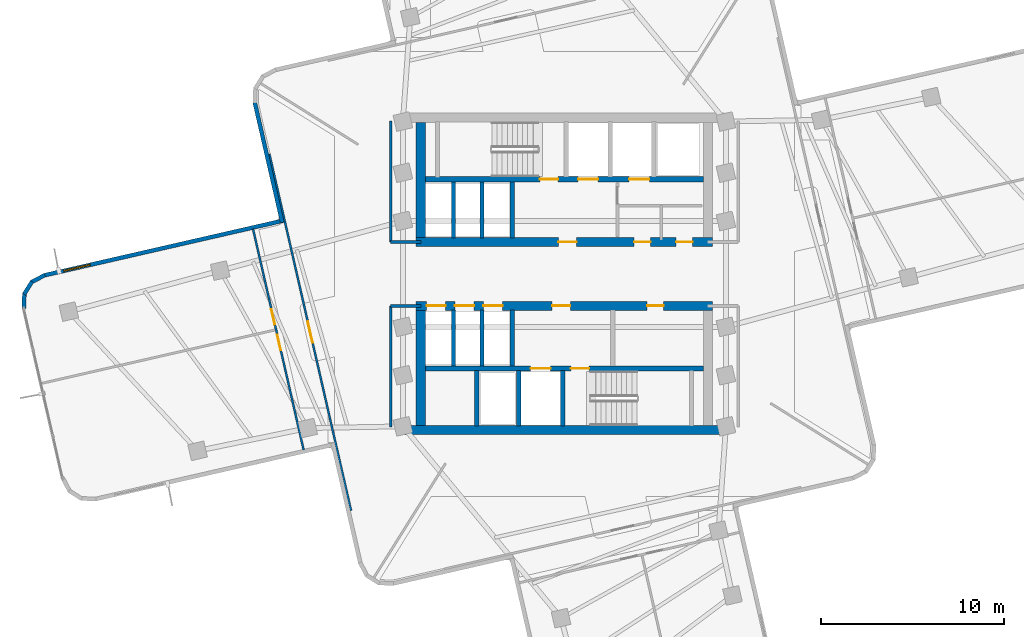
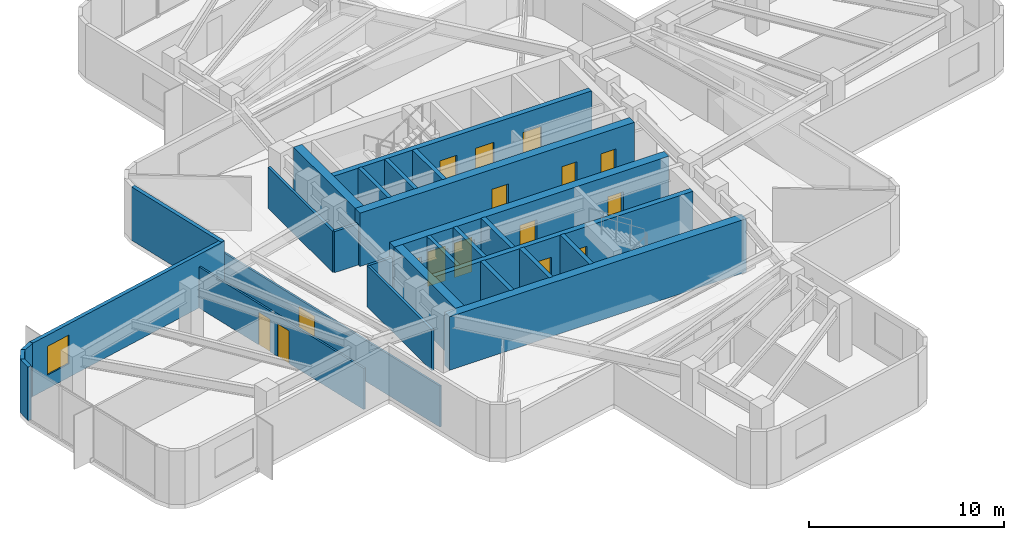
# One storey, part 6 of 11: 27 walls, 16 doors, 1 window, 17 openings.
"""IFC4 building model written with IfcOpenShell, lengths in metres."""

from ifc_helpers import new_model, si_unit, direction, frame, frame_2d, origin, place, context, subcontext, project, spatial, rectangle, extrude, material, layer, layer_set, type_object, element, fill, save


model = new_model("IFC4")

# Units and contexts
model_context = context("Model", 3, precision=1e-05, world=origin(), true_north=direction((0.0, 1.0)))
body_context = subcontext(model_context, "Body", "Model", "MODEL_VIEW")
ifc_project = project(units=[si_unit("LENGTHUNIT", "METRE"), si_unit("AREAUNIT", "SQUARE_METRE"), si_unit("VOLUMEUNIT", "CUBIC_METRE"), si_unit("PLANEANGLEUNIT", "RADIAN"), si_unit("MASSUNIT", "GRAM", prefix="KILO")], contexts=[model_context])

# Site, building, storey
site_placement = place(None, origin())
site = spatial("IfcSite", under=ifc_project, at=site_placement, CompositionType="ELEMENT")
building_placement = place(site_placement, origin())
building = spatial("IfcBuilding", under=site, at=building_placement, Name="Solmarez Civic Tower", CompositionType="ELEMENT")
storey_placement = place(building_placement, frame((0.0, 0.0, 119.8798828125)))
storey = spatial("IfcBuildingStorey", under=building, at=storey_placement, Name="L31", CompositionType="ELEMENT", Elevation=119.8798828125)

# Wall, openings, doors
ifc_material_1 = material(Name="Concrete C60/75", Category="concrete")
ifc_layer_1 = layer(ifc_material_1, 0.5)
ifc_layer_set_1 = layer_set([ifc_layer_1], Name="Concrete C60/75")
wall_type_1 = type_object("IfcWallType", Name="WALL-CORE-500", PredefinedType="SHEAR", material=ifc_layer_set_1)
wall_1_placement = place(storey_placement, frame((8.1201171875, 1.75, 0.0), z_axis=(0.0, 0.0, 1.0), x_axis=(-1.0, 0.0, 0.0)))
wall_1 = element("IfcWall", 1, at=wall_1_placement, inside=storey, type_object=wall_type_1, Name="L31 Split-Core Structural Wall NCW-S-L31", PredefinedType="SHEAR", context=body_context, shape_type="SweptSolid", body=[
    extrude(rectangle(XDim=16.240234375, YDim=0.5, at=frame_2d((8.1201171875, 0.0))), origin(), (0.0, 0.0, 1.0), 3.340087890625),
])
opening_1_placement = place(wall_1_placement, frame((7.449951171875, 0.0, 0.0)))
opening_1 = element("IfcOpeningElement", 2, at=opening_1_placement, cuts=wall_1, Name="Opening D-04", PredefinedType="OPENING", context=body_context, shape_type="SweptSolid", body=[
    extrude(rectangle(XDim=1.0, YDim=2.10009765625, at=frame_2d((0.5, 1.050048828125))), frame((0.0, 0.260009765625, 0.0), z_axis=(0.0, -1.0, 0.0), x_axis=(1.0, 0.0, 0.0)), (0.0, 0.0, 1.0), 0.52001953125),
])
opening_2_placement = place(wall_1_placement, frame((3.39990234375, 0.0, 0.0)))
opening_2 = element("IfcOpeningElement", 3, at=opening_2_placement, cuts=wall_1, Name="Opening D-09", PredefinedType="OPENING", context=body_context, shape_type="SweptSolid", body=[
    extrude(rectangle(XDim=0.89990234375, YDim=2.06005859375, at=frame_2d((0.449951171875, 1.030029296875))), frame((0.0, 0.260009765625, 0.0), z_axis=(0.0, -1.0, 0.0), x_axis=(1.0, 0.0, 0.0)), (0.0, 0.0, 1.0), 0.52001953125),
])
opening_3_placement = place(wall_1_placement, frame((1.10009765625, 0.0, 0.0)))
opening_3 = element("IfcOpeningElement", 4, at=opening_3_placement, cuts=wall_1, Name="Opening D-09", PredefinedType="OPENING", context=body_context, shape_type="SweptSolid", body=[
    extrude(rectangle(XDim=0.89990234375, YDim=2.06005859375, at=frame_2d((0.449951171875, 1.030029296875))), frame((0.0, 0.260009765625, 0.0), z_axis=(0.0, -1.0, 0.0), x_axis=(1.0, 0.0, 0.0)), (0.0, 0.0, 1.0), 0.52001953125),
])
ifc_material_2 = material(Name="Steel-Faced Acoustic Fire Door", Category="steel")
door_type_1 = type_object("IfcDoorType", Name="DOOR-FD60-1000", OperationType="NOTDEFINED", PredefinedType="DOOR", material=ifc_material_2)
door_1_placement = place(opening_1_placement, origin())
door_1 = element("IfcDoor", 5, at=door_1_placement, inside=storey, type_object=door_type_1, Name="L31 North Firefighting Lobby Door", OperationType="SINGLE_SWING_RIGHT", OverallHeight=2.10009765625, OverallWidth=1.0, PredefinedType="DOOR", context=body_context, shape_type="SweptSolid", body=[
    extrude(rectangle(XDim=1.0, YDim=2.10009765625, at=frame_2d((0.5, 1.050048828125))), frame((0.0, 0.02490234375, 0.0), z_axis=(0.0, -1.0, 0.0), x_axis=(1.0, 0.0, 0.0)), (0.0, 0.0, 1.0), 0.050048828125),
])
fill(opening_1, door_1)
ifc_material_3 = material(Name="Fire-Rated Service Core Door", Category="wood")
door_type_2 = type_object("IfcDoorType", Name="DOOR-FD60-900", OperationType="NOTDEFINED", PredefinedType="DOOR", material=ifc_material_3)
door_2_placement = place(opening_2_placement, origin())
door_2 = element("IfcDoor", 6, at=door_2_placement, inside=storey, type_object=door_type_2, Name="L31 Core WC Door", OperationType="SINGLE_SWING_LEFT", OverallHeight=2.06005859375, OverallWidth=0.89990234375, PredefinedType="DOOR", context=body_context, shape_type="SweptSolid", body=[
    extrude(rectangle(XDim=0.89990234375, YDim=2.06005859375, at=frame_2d((0.449951171875, 1.030029296875))), frame((0.0, 0.02490234375, 0.0), z_axis=(0.0, -1.0, 0.0), x_axis=(1.0, 0.0, 0.0)), (0.0, 0.0, 1.0), 0.050048828125),
])
fill(opening_2, door_2)
door_3_placement = place(opening_3_placement, origin())
door_3 = element("IfcDoor", 7, at=door_3_placement, inside=storey, type_object=door_type_2, Name="L31 Core CL Door", OperationType="SINGLE_SWING_RIGHT", OverallHeight=2.06005859375, OverallWidth=0.89990234375, PredefinedType="DOOR", context=body_context, shape_type="SweptSolid", body=[
    extrude(rectangle(XDim=0.89990234375, YDim=2.06005859375, at=frame_2d((0.449951171875, 1.030029296875))), frame((0.0, 0.02490234375, 0.0), z_axis=(0.0, -1.0, 0.0), x_axis=(1.0, 0.0, 0.0)), (0.0, 0.0, 1.0), 0.050048828125),
])
fill(opening_3, door_3)

# Walls
wall_2_placement = place(storey_placement, frame((-7.8701171875, 2.0, 0.0), z_axis=(0.0, 0.0, 1.0), x_axis=(0.0, 1.0, 0.0)))
element("IfcWall", 8, at=wall_2_placement, inside=storey, type_object=wall_type_1, Name="L31 Split-Core Structural Wall NCW-W-L31", PredefinedType="SHEAR", context=body_context, shape_type="SweptSolid", body=[
    extrude(rectangle(XDim=6.31005859375, YDim=0.5, at=frame_2d((3.155029296875, 0.0))), origin(), (0.0, 0.0, 1.0), 3.340087890625),
])
wall_3_placement = place(storey_placement, frame((8.780029296875, -8.56005859375, 0.0), z_axis=(0.0, 0.0, 1.0), x_axis=(-1.0, 0.0, 0.0)))
element("IfcWall", 9, at=wall_3_placement, inside=storey, type_object=wall_type_1, Name="L31 Split-Core Structural Wall SCW-S-L31", PredefinedType="SHEAR", context=body_context, shape_type="SweptSolid", body=[
    extrude(rectangle(XDim=17.56005859375, YDim=0.5, at=frame_2d((8.780029296875, 0.0))), origin(), (0.0, 0.0, 1.0), 3.340087890625),
])

# Wall, openings, doors
wall_4_placement = place(storey_placement, frame((-8.1201171875, -1.75, 0.0), z_axis=(0.0, 0.0, 1.0), x_axis=(1.0, 0.0, 0.0)))
wall_4 = element("IfcWall", 10, at=wall_4_placement, inside=storey, type_object=wall_type_1, Name="L31 Split-Core Structural Wall SCW-N-L31", PredefinedType="SHEAR", context=body_context, shape_type="SweptSolid", body=[
    extrude(rectangle(XDim=16.240234375, YDim=0.5, at=frame_2d((8.1201171875, 0.0))), origin(), (0.0, 0.0, 1.0), 3.340087890625),
])
opening_4_placement = place(wall_4_placement, frame((7.449951171875, 0.0, 0.0)))
opening_4 = element("IfcOpeningElement", 11, at=opening_4_placement, cuts=wall_4, Name="Opening D-04", PredefinedType="OPENING", context=body_context, shape_type="SweptSolid", body=[
    extrude(rectangle(XDim=1.0, YDim=2.10009765625, at=frame_2d((0.5, 1.050048828125))), frame((0.0, 0.260009765625, 0.0), z_axis=(0.0, -1.0, 0.0), x_axis=(1.0, 0.0, 0.0)), (0.0, 0.0, 1.0), 0.52001953125),
])
opening_5_placement = place(wall_4_placement, frame((12.64990234375, 0.0, 0.0)))
opening_5 = element("IfcOpeningElement", 12, at=opening_5_placement, cuts=wall_4, Name="Opening D-09", PredefinedType="OPENING", context=body_context, shape_type="SweptSolid", body=[
    extrude(rectangle(XDim=0.89990234375, YDim=2.06005859375, at=frame_2d((0.449951171875, 1.030029296875))), frame((0.0, 0.260009765625, 0.0), z_axis=(0.0, -1.0, 0.0), x_axis=(1.0, 0.0, 0.0)), (0.0, 0.0, 1.0), 0.52001953125),
])
opening_6_placement = place(wall_4_placement, frame((0.56494140625, 0.0, 0.0)))
opening_6 = element("IfcOpeningElement", 13, at=opening_6_placement, cuts=wall_4, Name="Opening LD-01", PredefinedType="OPENING", context=body_context, shape_type="SweptSolid", body=[
    extrude(rectangle(XDim=1.050048828125, YDim=2.14990234375, at=frame_2d((0.52490234375, 1.074951171875))), frame((0.0, 0.260009765625, 0.0), z_axis=(0.0, -1.0, 0.0), x_axis=(1.0, 0.0, 0.0)), (0.0, 0.0, 1.0), 0.52001953125),
])
opening_7_placement = place(wall_4_placement, frame((2.125, 0.0, 0.0)))
opening_7 = element("IfcOpeningElement", 14, at=opening_7_placement, cuts=wall_4, Name="Opening LD-01", PredefinedType="OPENING", context=body_context, shape_type="SweptSolid", body=[
    extrude(rectangle(XDim=1.050048828125, YDim=2.14990234375, at=frame_2d((0.52490234375, 1.074951171875))), frame((0.0, 0.260009765625, 0.0), z_axis=(0.0, -1.0, 0.0), x_axis=(1.0, 0.0, 0.0)), (0.0, 0.0, 1.0), 0.52001953125),
])
opening_8_placement = place(wall_4_placement, frame((3.68505859375, 0.0, 0.0)))
opening_8 = element("IfcOpeningElement", 15, at=opening_8_placement, cuts=wall_4, Name="Opening LD-01", PredefinedType="OPENING", context=body_context, shape_type="SweptSolid", body=[
    extrude(rectangle(XDim=1.050048828125, YDim=2.14990234375, at=frame_2d((0.52490234375, 1.074951171875))), frame((0.0, 0.260009765625, 0.0), z_axis=(0.0, -1.0, 0.0), x_axis=(1.0, 0.0, 0.0)), (0.0, 0.0, 1.0), 0.52001953125),
])
door_4_placement = place(opening_4_placement, origin())
door_4 = element("IfcDoor", 16, at=door_4_placement, inside=storey, type_object=door_type_1, Name="L31 South Firefighting Lobby Door", OperationType="SINGLE_SWING_LEFT", OverallHeight=2.10009765625, OverallWidth=1.0, PredefinedType="DOOR", context=body_context, shape_type="SweptSolid", body=[
    extrude(rectangle(XDim=1.0, YDim=2.10009765625, at=frame_2d((0.5, 1.050048828125))), frame((0.0, 0.02490234375, 0.0), z_axis=(0.0, -1.0, 0.0), x_axis=(1.0, 0.0, 0.0)), (0.0, 0.0, 1.0), 0.050048828125),
])
fill(opening_4, door_4)
door_5_placement = place(opening_5_placement, origin())
door_5 = element("IfcDoor", 17, at=door_5_placement, inside=storey, type_object=door_type_2, Name="L31 Freed Hoistway Mailroom Door", OperationType="SINGLE_SWING_LEFT", OverallHeight=2.06005859375, OverallWidth=0.89990234375, PredefinedType="DOOR", context=body_context, shape_type="SweptSolid", body=[
    extrude(rectangle(XDim=0.89990234375, YDim=2.06005859375, at=frame_2d((0.449951171875, 1.030029296875))), frame((0.0, 0.02490234375, 0.0), z_axis=(0.0, -1.0, 0.0), x_axis=(1.0, 0.0, 0.0)), (0.0, 0.0, 1.0), 0.050048828125),
])
fill(opening_5, door_5)
ifc_material_4 = material(Name="Bronze Passenger Lift Landing Sliding Door", Category="aluminium")
door_type_3 = type_object("IfcDoorType", Name="DOOR-LD-PAX-1050", OperationType="DOUBLE_DOOR_SLIDING", PredefinedType="DOOR", material=ifc_material_4)
door_6_placement = place(opening_6_placement, origin())
door_6 = element("IfcDoor", 18, at=door_6_placement, inside=storey, type_object=door_type_3, Name="L31 Mid-Rise Lift Landing Door PL-M1", OperationType="DOUBLE_DOOR_SLIDING", OverallHeight=2.14990234375, OverallWidth=1.050048828125, PredefinedType="DOOR", context=body_context, shape_type="SweptSolid", body=[
    extrude(rectangle(XDim=1.050048828125, YDim=2.14990234375, at=frame_2d((0.52490234375, 1.074951171875))), frame((0.0, 0.02490234375, 0.0), z_axis=(0.0, -1.0, 0.0), x_axis=(1.0, 0.0, 0.0)), (0.0, 0.0, 1.0), 0.050048828125),
])
fill(opening_6, door_6)
door_7_placement = place(opening_7_placement, origin())
door_7 = element("IfcDoor", 19, at=door_7_placement, inside=storey, type_object=door_type_3, Name="L31 Mid-Rise Lift Landing Door PL-M2", OperationType="DOUBLE_DOOR_SLIDING", OverallHeight=2.14990234375, OverallWidth=1.050048828125, PredefinedType="DOOR", context=body_context, shape_type="SweptSolid", body=[
    extrude(rectangle(XDim=1.050048828125, YDim=2.14990234375, at=frame_2d((0.52490234375, 1.074951171875))), frame((0.0, 0.02490234375, 0.0), z_axis=(0.0, -1.0, 0.0), x_axis=(1.0, 0.0, 0.0)), (0.0, 0.0, 1.0), 0.050048828125),
])
fill(opening_7, door_7)
door_8_placement = place(opening_8_placement, origin())
door_8 = element("IfcDoor", 20, at=door_8_placement, inside=storey, type_object=door_type_3, Name="L31 Mid-Rise Lift Landing Door PL-M3", OperationType="DOUBLE_DOOR_SLIDING", OverallHeight=2.14990234375, OverallWidth=1.050048828125, PredefinedType="DOOR", context=body_context, shape_type="SweptSolid", body=[
    extrude(rectangle(XDim=1.050048828125, YDim=2.14990234375, at=frame_2d((0.52490234375, 1.074951171875))), frame((0.0, 0.02490234375, 0.0), z_axis=(0.0, -1.0, 0.0), x_axis=(1.0, 0.0, 0.0)), (0.0, 0.0, 1.0), 0.050048828125),
])
fill(opening_8, door_8)

# Walls
wall_5_placement = place(storey_placement, frame((-7.8701171875, -8.31005859375, 0.0), z_axis=(0.0, 0.0, 1.0), x_axis=(0.0, 1.0, 0.0)))
element("IfcWall", 21, at=wall_5_placement, inside=storey, type_object=wall_type_1, Name="L31 Split-Core Structural Wall SCW-W-L31", PredefinedType="SHEAR", context=body_context, shape_type="SweptSolid", body=[
    extrude(rectangle(XDim=6.31005859375, YDim=0.5, at=frame_2d((3.155029296875, 0.0))), origin(), (0.0, 0.0, 1.0), 3.340087890625),
])
ifc_material_5 = material(Name="Precast concrete C40/50", Category="concrete")
ifc_layer_2 = layer(ifc_material_5, 0.219970703125)
ifc_layer_set_2 = layer_set([ifc_layer_2], Name="Precast concrete C40/50")
wall_type_2 = type_object("IfcWallType", Name="WALL-EXT-220", PredefinedType="SOLIDWALL", material=ifc_layer_set_2)
wall_6_placement = place(storey_placement, frame((-29.6201171875, -1.89892578125, 0.0), z_axis=(0.0, 0.0, 1.0), x_axis=(0.037195813461, 0.999307996296, 0.0)))
element("IfcWall", 22, at=wall_6_placement, inside=storey, type_object=wall_type_2, Name="L31 Exterior Precast Wall 7", PredefinedType="SOLIDWALL", context=body_context, shape_type="SweptSolid", body=[
    extrude(rectangle(XDim=0.83349609375, YDim=0.219970703125, at=frame_2d((0.416748046875, 0.0))), origin(), (0.0, 0.0, 1.0), 3.340087890625),
])
wall_7_placement = place(storey_placement, frame((-29.60302734375, -1.112060546875, 0.0), z_axis=(0.0, 0.0, 1.0), x_axis=(0.530240177466, 0.847847482865, 0.0)))
element("IfcWall", 23, at=wall_7_placement, inside=storey, type_object=wall_type_2, Name="L31 Exterior Precast Wall 8", PredefinedType="SOLIDWALL", context=body_context, shape_type="SweptSolid", body=[
    extrude(rectangle(XDim=0.818603515625, YDim=0.219970703125, at=frame_2d((0.4091796875, 0.0))), origin(), (0.0, 0.0, 1.0), 3.340087890625),
])
wall_8_placement = place(storey_placement, frame((-29.2041015625, -0.450927734375, 0.0), z_axis=(0.0, 0.0, 1.0), x_axis=(0.883716798585, 0.468022029287, 0.0)))
element("IfcWall", 24, at=wall_8_placement, inside=storey, type_object=wall_type_2, Name="L31 Exterior Precast Wall 9", PredefinedType="SOLIDWALL", context=body_context, shape_type="SweptSolid", body=[
    extrude(rectangle(XDim=0.835205078125, YDim=0.219970703125, at=frame_2d((0.41748046875, 0.0))), origin(), (0.0, 0.0, 1.0), 3.340087890625),
])

# Wall, opening, window
wall_9_placement = place(storey_placement, frame((-28.511962890625, -0.077880859375, 0.0), z_axis=(0.0, 0.0, 1.0), x_axis=(0.974753462872, 0.223283870038, 0.0)))
wall_9 = element("IfcWall", 25, at=wall_9_placement, inside=storey, type_object=wall_type_2, Name="L31 Exterior Precast Wall 10", PredefinedType="SOLIDWALL", context=body_context, shape_type="SweptSolid", body=[
    extrude(rectangle(XDim=13.457763671875, YDim=0.219970703125, at=frame_2d((6.72900390625, 0.0))), origin(), (0.0, 0.0, 1.0), 3.340087890625),
])
opening_9_placement = place(wall_9_placement, frame((1.10009765625, 0.0, 0.85009765625)))
opening_9 = element("IfcOpeningElement", 26, at=opening_9_placement, cuts=wall_9, Name="Opening W-13", PredefinedType="OPENING", context=body_context, shape_type="SweptSolid", body=[
    extrude(rectangle(XDim=1.5, YDim=1.800048828125, at=frame_2d((0.75, 0.89990234375))), frame((0.0, 0.119873046875, 0.0), z_axis=(0.0, -1.0, 0.0), x_axis=(1.0, 0.0, 0.0)), (0.0, 0.0, 1.0), 0.239990234375),
])
ifc_material_6 = material(Name="Solar Control Bronze-Tinted Insulating Glass", Category="glass")
window_type = type_object("IfcWindowType", Name="WIN-1500X1800", PartitioningType="SINGLE_PANEL", PredefinedType="WINDOW", material=ifc_material_6)
window_placement = place(opening_9_placement, origin())
window = element("IfcWindow", 27, at=window_placement, inside=storey, type_object=window_type, Name="L31 Exterior Facade Window 10", OverallHeight=1.800048828125, OverallWidth=1.5, PartitioningType="SINGLE_PANEL", PredefinedType="WINDOW", context=body_context, shape_type="SweptSolid", body=[
    extrude(rectangle(XDim=1.5, YDim=1.800048828125, at=frame_2d((0.75, 0.89990234375))), frame((0.0, 0.030029296875, 0.0), z_axis=(0.0, -1.0, 0.0), x_axis=(1.0, 0.0, 0.0)), (0.0, 0.0, 1.0), 0.06005859375),
])
fill(opening_9, window)

# Walls
wall_10_placement = place(storey_placement, frame((-15.4599609375, 2.821044921875, 0.0), z_axis=(0.0, 0.0, 1.0), x_axis=(-0.223278912438, 0.974754598481, 0.0)))
element("IfcWall", 28, at=wall_10_placement, inside=storey, type_object=wall_type_2, Name="L31 Exterior Precast Wall 13", PredefinedType="SOLIDWALL", context=body_context, shape_type="SweptSolid", body=[
    extrude(rectangle(XDim=6.758544921875, YDim=0.219970703125, at=frame_2d((3.37939453125, 0.0))), origin(), (0.0, 0.0, 1.0), 3.340087890625),
])
ifc_material_7 = material(Name="Gypsum Board Acoustic Steel-Stud Partition", Category="steel")
ifc_layer_3 = layer(ifc_material_7, 0.14990234375)
ifc_layer_set_3 = layer_set([ifc_layer_3], Name="Gypsum Board Acoustic Steel-Stud Partition")
wall_type_3 = type_object("IfcWallType", Name="WALL-INT-FIRE-150", PredefinedType="PARTITIONING", material=ifc_layer_set_3)
wall_11_placement = place(storey_placement, frame((-9.52001953125, 1.75, 0.0), z_axis=(0.0, 0.0, 1.0), x_axis=(0.0, 1.0, 0.0)))
element("IfcWall", 29, at=wall_11_placement, inside=storey, type_object=wall_type_3, Name="L31 Interior Partition CHW-L31-WN1", PredefinedType="PARTITIONING", context=body_context, shape_type="SweptSolid", body=[
    extrude(rectangle(XDim=6.6298828125, YDim=0.14990234375, at=frame_2d((3.31494140625, 0.0))), origin(), (0.0, 0.0, 1.0), 2.570068359375),
])
wall_12_placement = place(storey_placement, frame((-7.85009765625, 1.75, 0.0), z_axis=(0.0, 0.0, 1.0), x_axis=(-1.0, 0.0, 0.0)))
element("IfcWall", 30, at=wall_12_placement, inside=storey, type_object=wall_type_3, Name="L31 Interior Partition CHW-L31-WN3", PredefinedType="PARTITIONING", context=body_context, shape_type="SweptSolid", body=[
    extrude(rectangle(XDim=1.669921875, YDim=0.14990234375, at=frame_2d((0.8349609375, 0.0))), origin(), (0.0, 0.0, 1.0), 2.570068359375),
])
wall_13_placement = place(storey_placement, frame((-9.52001953125, -8.3798828125, 0.0), z_axis=(0.0, 0.0, 1.0), x_axis=(0.0, 1.0, 0.0)))
element("IfcWall", 31, at=wall_13_placement, inside=storey, type_object=wall_type_3, Name="L31 Interior Partition CHW-L31-WS1", PredefinedType="PARTITIONING", context=body_context, shape_type="SweptSolid", body=[
    extrude(rectangle(XDim=6.6298828125, YDim=0.14990234375, at=frame_2d((3.31494140625, 0.0))), origin(), (0.0, 0.0, 1.0), 2.570068359375),
])
wall_14_placement = place(storey_placement, frame((-7.85009765625, -1.75, 0.0), z_axis=(0.0, 0.0, 1.0), x_axis=(-1.0, 0.0, 0.0)))
element("IfcWall", 32, at=wall_14_placement, inside=storey, type_object=wall_type_3, Name="L31 Interior Partition CHW-L31-WS3", PredefinedType="PARTITIONING", context=body_context, shape_type="SweptSolid", body=[
    extrude(rectangle(XDim=1.669921875, YDim=0.14990234375, at=frame_2d((0.8349609375, 0.0))), origin(), (0.0, 0.0, 1.0), 2.570068359375),
])

# Wall, opening, door
ifc_layer_4 = layer(ifc_material_7, 0.110107421875)
ifc_layer_set_4 = layer_set([ifc_layer_4], Name="Gypsum Board Acoustic Steel-Stud Partition")
wall_type_4 = type_object("IfcWallType", Name="WALL-INT-PART-110", PredefinedType="PARTITIONING", material=ifc_layer_set_4)
wall_15_placement = place(storey_placement, frame((-11.69189453125, -12.95703125, 0.0), z_axis=(0.0, 0.0, 1.0), x_axis=(-0.223262093598, 0.97475845088, 0.0)))
wall_15 = element("IfcWall", 33, at=wall_15_placement, inside=storey, type_object=wall_type_4, Name="L31 Interior Partition PT-L31-W-ENT", PredefinedType="PARTITIONING", context=body_context, shape_type="SweptSolid", body=[
    extrude(rectangle(XDim=20.039794921875, YDim=0.110107421875, at=frame_2d((10.02001953125, 0.0))), origin(), (0.0, 0.0, 1.0), 2.570068359375),
])
opening_10_placement = place(wall_15_placement, frame((9.419921875, 0.0, 0.0)))
opening_10 = element("IfcOpeningElement", 34, at=opening_10_placement, cuts=wall_15, Name="Opening D-11", PredefinedType="OPENING", context=body_context, shape_type="SweptSolid", body=[
    extrude(rectangle(XDim=1.199951171875, YDim=2.10009765625, at=frame_2d((0.60009765625, 1.050048828125))), frame((0.0, 0.06494140625, 0.0), z_axis=(0.0, -1.0, 0.0), x_axis=(1.0, 0.0, 0.0)), (0.0, 0.0, 1.0), 0.130126953125),
])
ifc_material_8 = material(Name="Glazed-Vision Acoustic Chamber Door", Category="wood")
door_type_4 = type_object("IfcDoorType", Name="DOOR-INT-1200", OperationType="NOTDEFINED", PredefinedType="DOOR", material=ifc_material_8)
door_9_placement = place(opening_10_placement, origin())
door_9 = element("IfcDoor", 35, at=door_9_placement, inside=storey, type_object=door_type_4, Name="L31 Public Law Reading Room First West Door", OperationType="SINGLE_SWING_LEFT", OverallHeight=2.10009765625, OverallWidth=1.199951171875, PredefinedType="DOOR", context=body_context, shape_type="SweptSolid", body=[
    extrude(rectangle(XDim=1.199951171875, YDim=2.10009765625, at=frame_2d((0.60009765625, 1.050048828125))), frame((0.0, 0.02490234375, 0.0), z_axis=(0.0, -1.0, 0.0), x_axis=(1.0, 0.0, 0.0)), (0.0, 0.0, 1.0), 0.050048828125),
])
fill(opening_10, door_9)

# Wall, openings, doors
wall_16_placement = place(storey_placement, frame((-17.06201171875, 2.468017578125, 0.0), z_axis=(0.0, 0.0, 1.0), x_axis=(0.223341555051, -0.974740247341, 0.0)))
wall_16 = element("IfcWall", 36, at=wall_16_placement, inside=storey, type_object=wall_type_4, Name="L31 Interior Partition PT-L31-W-SCUT", PredefinedType="PARTITIONING", context=body_context, shape_type="SweptSolid", body=[
    extrude(rectangle(XDim=12.429931640625, YDim=0.110107421875, at=frame_2d((6.21484375, 0.0))), origin(), (0.0, 0.0, 1.0), 2.570068359375),
])
opening_11_placement = place(wall_16_placement, frame((4.514892578125, 0.0, 0.0)))
opening_11 = element("IfcOpeningElement", 37, at=opening_11_placement, cuts=wall_16, Name="Opening D-14", PredefinedType="OPENING", context=body_context, shape_type="SweptSolid", body=[
    extrude(rectangle(XDim=0.860107421875, YDim=2.0400390625, at=frame_2d((0.43017578125, 1.02001953125))), frame((0.0, 0.06494140625, 0.0), z_axis=(0.0, -1.0, 0.0), x_axis=(1.0, 0.0, 0.0)), (0.0, 0.0, 1.0), 0.130126953125),
])
opening_12_placement = place(wall_16_placement, frame((5.955078125, 0.0, 0.0)))
opening_12 = element("IfcOpeningElement", 38, at=opening_12_placement, cuts=wall_16, Name="Opening D-14", PredefinedType="OPENING", context=body_context, shape_type="SweptSolid", body=[
    extrude(rectangle(XDim=0.860107421875, YDim=2.0400390625, at=frame_2d((0.43017578125, 1.02001953125))), frame((0.0, 0.06494140625, 0.0), z_axis=(0.0, -1.0, 0.0), x_axis=(1.0, 0.0, 0.0)), (0.0, 0.0, 1.0), 0.130126953125),
])
ifc_material_9 = material(Name="Timber Storage and Pantry Door", Category="wood")
door_type_5 = type_object("IfcDoorType", Name="DOOR-INT-850", OperationType="NOTDEFINED", PredefinedType="DOOR", material=ifc_material_9)
door_10_placement = place(opening_11_placement, origin())
door_10 = element("IfcDoor", 39, at=door_10_placement, inside=storey, type_object=door_type_5, Name="L31 Municipal Co-Working Office Third West Door", OperationType="SINGLE_SWING_RIGHT", OverallHeight=2.0400390625, OverallWidth=0.860107421875, PredefinedType="DOOR", context=body_context, shape_type="SweptSolid", body=[
    extrude(rectangle(XDim=0.860107421875, YDim=2.0400390625, at=frame_2d((0.43017578125, 1.02001953125))), frame((0.0, 0.02490234375, 0.0), z_axis=(0.0, -1.0, 0.0), x_axis=(1.0, 0.0, 0.0)), (0.0, 0.0, 1.0), 0.050048828125),
])
fill(opening_11, door_10)
door_11_placement = place(opening_12_placement, origin())
door_11 = element("IfcDoor", 40, at=door_11_placement, inside=storey, type_object=door_type_5, Name="L31 Security Control Room Second West Door", OperationType="SINGLE_SWING_LEFT", OverallHeight=2.0400390625, OverallWidth=0.860107421875, PredefinedType="DOOR", context=body_context, shape_type="SweptSolid", body=[
    extrude(rectangle(XDim=0.860107421875, YDim=2.0400390625, at=frame_2d((0.43017578125, 1.02001953125))), frame((0.0, 0.02490234375, 0.0), z_axis=(0.0, -1.0, 0.0), x_axis=(1.0, 0.0, 0.0)), (0.0, 0.0, 1.0), 0.050048828125),
])
fill(opening_12, door_11)

ifc_material_10 = material(Name="Concrete C50/60", Category="concrete")
ifc_layer_5 = layer(ifc_material_10, 0.300048828125)
ifc_layer_set_5 = layer_set([ifc_layer_5], Name="Concrete C50/60")
wall_type_5 = type_object("IfcWallType", Name="WALL-STR-300", PredefinedType="SOLIDWALL", material=ifc_layer_set_5)
wall_17_placement = place(storey_placement, frame((7.6201171875, 5.179931640625, 0.0), z_axis=(0.0, 0.0, 1.0), x_axis=(-1.0, 0.0, 0.0)))
wall_17 = element("IfcWall", 41, at=wall_17_placement, inside=storey, type_object=wall_type_5, Name="L31 Split-Core Structural Wall NCW-M-L31", PredefinedType="SOLIDWALL", context=body_context, shape_type="SweptSolid", body=[
    extrude(rectangle(XDim=15.240234375, YDim=0.300048828125, at=frame_2d((7.6201171875, 0.0))), origin(), (0.0, 0.0, 1.0), 3.340087890625),
])
opening_13_placement = place(wall_17_placement, frame((5.77001953125, 0.0, 0.0)))
opening_13 = element("IfcOpeningElement", 42, at=opening_13_placement, cuts=wall_17, Name="Opening LD-02", PredefinedType="OPENING", context=body_context, shape_type="SweptSolid", body=[
    extrude(rectangle(XDim=1.10009765625, YDim=2.14990234375, at=frame_2d((0.550048828125, 1.074951171875))), frame((0.0, 0.159912109375, 0.0), z_axis=(0.0, -1.0, 0.0), x_axis=(1.0, 0.0, 0.0)), (0.0, 0.0, 1.0), 0.320068359375),
])
opening_14_placement = place(wall_17_placement, frame((2.969970703125, 0.0, 0.0)))
opening_14 = element("IfcOpeningElement", 43, at=opening_14_placement, cuts=wall_17, Name="Opening LD-03", PredefinedType="OPENING", context=body_context, shape_type="SweptSolid", body=[
    extrude(rectangle(XDim=1.10009765625, YDim=2.14990234375, at=frame_2d((0.550048828125, 1.074951171875))), frame((0.0, 0.159912109375, 0.0), z_axis=(0.0, -1.0, 0.0), x_axis=(1.0, 0.0, 0.0)), (0.0, 0.0, 1.0), 0.320068359375),
])
opening_15_placement = place(wall_17_placement, frame((7.969970703125, 0.0, 0.0)))
opening_15 = element("IfcOpeningElement", 44, at=opening_15_placement, cuts=wall_17, Name="Opening D-05", PredefinedType="OPENING", context=body_context, shape_type="SweptSolid", body=[
    extrude(rectangle(XDim=1.0, YDim=2.10009765625, at=frame_2d((0.5, 1.050048828125))), frame((0.0, 0.159912109375, 0.0), z_axis=(0.0, -1.0, 0.0), x_axis=(1.0, 0.0, 0.0)), (0.0, 0.0, 1.0), 0.320068359375),
])
ifc_material_11 = material(Name="Fire-Rated Stairwell Exit Door", Category="wood")
door_type_6 = type_object("IfcDoorType", Name="DOOR-FD90-1000", OperationType="NOTDEFINED", PredefinedType="DOOR", material=ifc_material_11)
door_12_placement = place(opening_15_placement, origin())
door_12 = element("IfcDoor", 45, at=door_12_placement, inside=storey, type_object=door_type_6, Name="L31 North Exit Stair Door ST-1", OperationType="SINGLE_SWING_RIGHT", OverallHeight=2.10009765625, OverallWidth=1.0, PredefinedType="DOOR", context=body_context, shape_type="SweptSolid", body=[
    extrude(rectangle(XDim=1.0, YDim=2.10009765625, at=frame_2d((0.5, 1.050048828125))), frame((0.0, 0.02490234375, 0.0), z_axis=(0.0, -1.0, 0.0), x_axis=(1.0, 0.0, 0.0)), (0.0, 0.0, 1.0), 0.050048828125),
])
fill(opening_15, door_12)
ifc_material_12 = material(Name="Stainless Firefighting Lift Landing Sliding Door", Category="aluminium")
door_type_7 = type_object("IfcDoorType", Name="DOOR-LD-FF-1100", OperationType="DOUBLE_DOOR_SLIDING", PredefinedType="DOOR", material=ifc_material_12)
door_13_placement = place(opening_13_placement, origin())
door_13 = element("IfcDoor", 46, at=door_13_placement, inside=storey, type_object=door_type_7, Name="L31 Firefighting Lift Landing Door FFL-1", OperationType="DOUBLE_DOOR_SLIDING", OverallHeight=2.14990234375, OverallWidth=1.10009765625, PredefinedType="DOOR", context=body_context, shape_type="SweptSolid", body=[
    extrude(rectangle(XDim=1.10009765625, YDim=2.14990234375, at=frame_2d((0.550048828125, 1.074951171875))), frame((0.0, 0.02490234375, 0.0), z_axis=(0.0, -1.0, 0.0), x_axis=(1.0, 0.0, 0.0)), (0.0, 0.0, 1.0), 0.050048828125),
])
fill(opening_13, door_13)
ifc_material_13 = material(Name="Stainless Stretcher Lift Landing Sliding Door", Category="aluminium")
door_type_8 = type_object("IfcDoorType", Name="DOOR-LD-SV-1100", OperationType="DOUBLE_DOOR_SLIDING", PredefinedType="DOOR", material=ifc_material_13)
door_14_placement = place(opening_14_placement, origin())
door_14 = element("IfcDoor", 47, at=door_14_placement, inside=storey, type_object=door_type_8, Name="L31 Service Stretcher Lift Landing Door SVL-1", OperationType="DOUBLE_DOOR_SLIDING", OverallHeight=2.14990234375, OverallWidth=1.10009765625, PredefinedType="DOOR", context=body_context, shape_type="SweptSolid", body=[
    extrude(rectangle(XDim=1.10009765625, YDim=2.14990234375, at=frame_2d((0.550048828125, 1.074951171875))), frame((0.0, 0.02490234375, 0.0), z_axis=(0.0, -1.0, 0.0), x_axis=(1.0, 0.0, 0.0)), (0.0, 0.0, 1.0), 0.050048828125),
])
fill(opening_14, door_14)

wall_18_placement = place(storey_placement, frame((-7.6201171875, -5.179931640625, 0.0), z_axis=(0.0, 0.0, 1.0), x_axis=(1.0, 0.0, 0.0)))
wall_18 = element("IfcWall", 48, at=wall_18_placement, inside=storey, type_object=wall_type_5, Name="L31 Split-Core Structural Wall SCW-M-L31", PredefinedType="SOLIDWALL", context=body_context, shape_type="SweptSolid", body=[
    extrude(rectangle(XDim=15.240234375, YDim=0.300048828125, at=frame_2d((7.6201171875, 0.0))), origin(), (0.0, 0.0, 1.0), 3.340087890625),
])
opening_16_placement = place(wall_18_placement, frame((5.77001953125, 0.0, 0.0)))
opening_16 = element("IfcOpeningElement", 49, at=opening_16_placement, cuts=wall_18, Name="Opening LD-02", PredefinedType="OPENING", context=body_context, shape_type="SweptSolid", body=[
    extrude(rectangle(XDim=1.10009765625, YDim=2.14990234375, at=frame_2d((0.550048828125, 1.074951171875))), frame((0.0, 0.159912109375, 0.0), z_axis=(0.0, -1.0, 0.0), x_axis=(1.0, 0.0, 0.0)), (0.0, 0.0, 1.0), 0.320068359375),
])
opening_17_placement = place(wall_18_placement, frame((7.969970703125, 0.0, 0.0)))
opening_17 = element("IfcOpeningElement", 50, at=opening_17_placement, cuts=wall_18, Name="Opening D-05", PredefinedType="OPENING", context=body_context, shape_type="SweptSolid", body=[
    extrude(rectangle(XDim=1.0, YDim=2.10009765625, at=frame_2d((0.5, 1.050048828125))), frame((0.0, 0.159912109375, 0.0), z_axis=(0.0, -1.0, 0.0), x_axis=(1.0, 0.0, 0.0)), (0.0, 0.0, 1.0), 0.320068359375),
])
door_15_placement = place(opening_17_placement, origin())
door_15 = element("IfcDoor", 51, at=door_15_placement, inside=storey, type_object=door_type_6, Name="L31 South Exit Stair Door ST-2", OperationType="SINGLE_SWING_LEFT", OverallHeight=2.10009765625, OverallWidth=1.0, PredefinedType="DOOR", context=body_context, shape_type="SweptSolid", body=[
    extrude(rectangle(XDim=1.0, YDim=2.10009765625, at=frame_2d((0.5, 1.050048828125))), frame((0.0, 0.02490234375, 0.0), z_axis=(0.0, -1.0, 0.0), x_axis=(1.0, 0.0, 0.0)), (0.0, 0.0, 1.0), 0.050048828125),
])
fill(opening_17, door_15)
door_16_placement = place(opening_16_placement, origin())
door_16 = element("IfcDoor", 52, at=door_16_placement, inside=storey, type_object=door_type_7, Name="L31 Firefighting Lift Landing Door FFL-2", OperationType="DOUBLE_DOOR_SLIDING", OverallHeight=2.14990234375, OverallWidth=1.10009765625, PredefinedType="DOOR", context=body_context, shape_type="SweptSolid", body=[
    extrude(rectangle(XDim=1.10009765625, YDim=2.14990234375, at=frame_2d((0.550048828125, 1.074951171875))), frame((0.0, 0.02490234375, 0.0), z_axis=(0.0, -1.0, 0.0), x_axis=(1.0, 0.0, 0.0)), (0.0, 0.0, 1.0), 0.050048828125),
])
fill(opening_16, door_16)

# Walls
wall_19_placement = place(storey_placement, frame((-2.85009765625, 1.97998046875, 0.0), z_axis=(0.0, 0.0, 1.0), x_axis=(0.0, 1.0, 0.0)))
element("IfcWall", 53, at=wall_19_placement, inside=storey, type_object=wall_type_5, Name="L31 Split-Core Structural Wall SHW-NL1-L31", PredefinedType="SOLIDWALL", context=body_context, shape_type="SweptSolid", body=[
    extrude(rectangle(XDim=3.070068359375, YDim=0.25, at=frame_2d((1.53515625, 0.0))), origin(), (0.0, 0.0, 1.0), 3.340087890625),
])
for number, where, z_axis, x_axis, name in (
    (54, (-0.10009765625, -8.340087890625, 0.0), (0.0, 0.0, 1.0), (0.0, 1.0, 0.0), "L31 Split-Core Structural Wall SHW-S1-L31"),
    (55, (-2.5, -8.340087890625, 0.0), (0.0, 0.0, 1.0), (0.0, 1.0, 0.0), "L31 Split-Core Structural Wall SHW-S2-L31"),
    (56, (-4.800048828125, -8.340087890625, 0.0), (0.0, 0.0, 1.0), (0.0, 1.0, 0.0), "L31 Split-Core Structural Wall SHW-S3-L31"),
):
    element("IfcWall", number, at=place(storey_placement, frame(where, z_axis=z_axis, x_axis=x_axis)), inside=storey, type_object=wall_type_5, Name=name, PredefinedType="SOLIDWALL", context=body_context, shape_type="SweptSolid", body=[
        extrude(rectangle(XDim=3.0400390625, YDim=0.25, at=frame_2d((1.52001953125, 0.0))), origin(), (0.0, 0.0, 1.0), 3.340087890625),
    ])
wall_20_placement = place(storey_placement, frame((-2.85009765625, -5.050048828125, 0.0), z_axis=(0.0, 0.0, 1.0), x_axis=(0.0, 1.0, 0.0)))
element("IfcWall", 57, at=wall_20_placement, inside=storey, type_object=wall_type_5, Name="L31 Split-Core Structural Wall SHW-SL1-L31", PredefinedType="SOLIDWALL", context=body_context, shape_type="SweptSolid", body=[
    extrude(rectangle(XDim=3.070068359375, YDim=0.25, at=frame_2d((1.53515625, 0.0))), origin(), (0.0, 0.0, 1.0), 3.340087890625),
])
for number, where, z_axis, x_axis, name in (
    (58, (-6.080078125, 1.97998046875, 0.0), (0.0, 0.0, 1.0), (0.0, 1.0, 0.0), "L31 Split-Core Structural Wall SHW-PLH-L31-1"),
    (59, (-4.52001953125, 1.97998046875, 0.0), (0.0, 0.0, 1.0), (0.0, 1.0, 0.0), "L31 Split-Core Structural Wall SHW-PLH-L31-2"),
    (60, (-6.080078125, -5.050048828125, 0.0), (0.0, 0.0, 1.0), (0.0, 1.0, 0.0), "L31 Split-Core Structural Wall SHW-PLM-L31-1"),
    (61, (-4.52001953125, -5.050048828125, 0.0), (0.0, 0.0, 1.0), (0.0, 1.0, 0.0), "L31 Split-Core Structural Wall SHW-PLM-L31-2"),
):
    element("IfcWall", number, at=place(storey_placement, frame(where, z_axis=z_axis, x_axis=x_axis)), inside=storey, type_object=wall_type_5, Name=name, PredefinedType="SOLIDWALL", context=body_context, shape_type="SweptSolid", body=[
        extrude(rectangle(XDim=3.070068359375, YDim=0.219970703125, at=frame_2d((1.53515625, 0.0))), origin(), (0.0, 0.0, 1.0), 3.340087890625),
    ])

save(model, "model.ifc")
